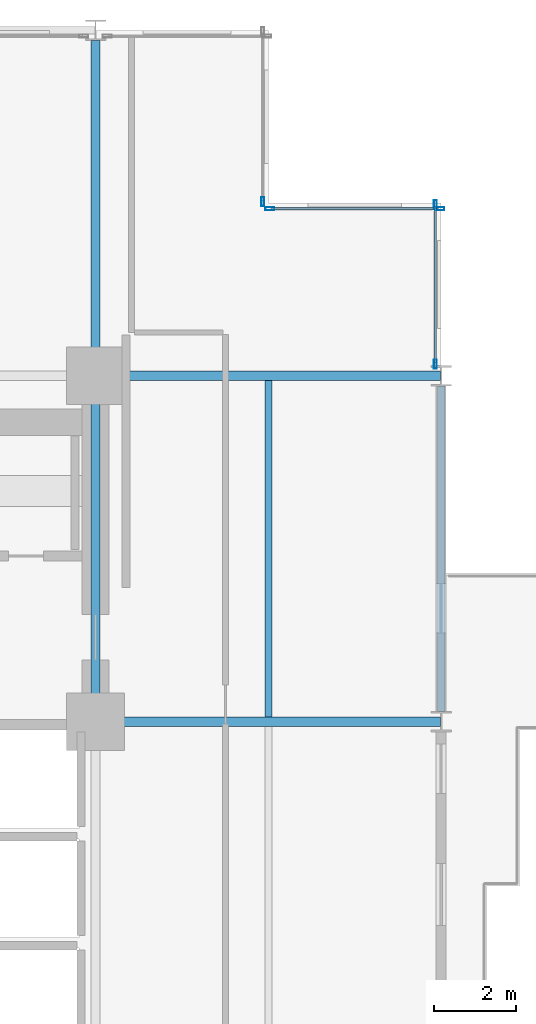
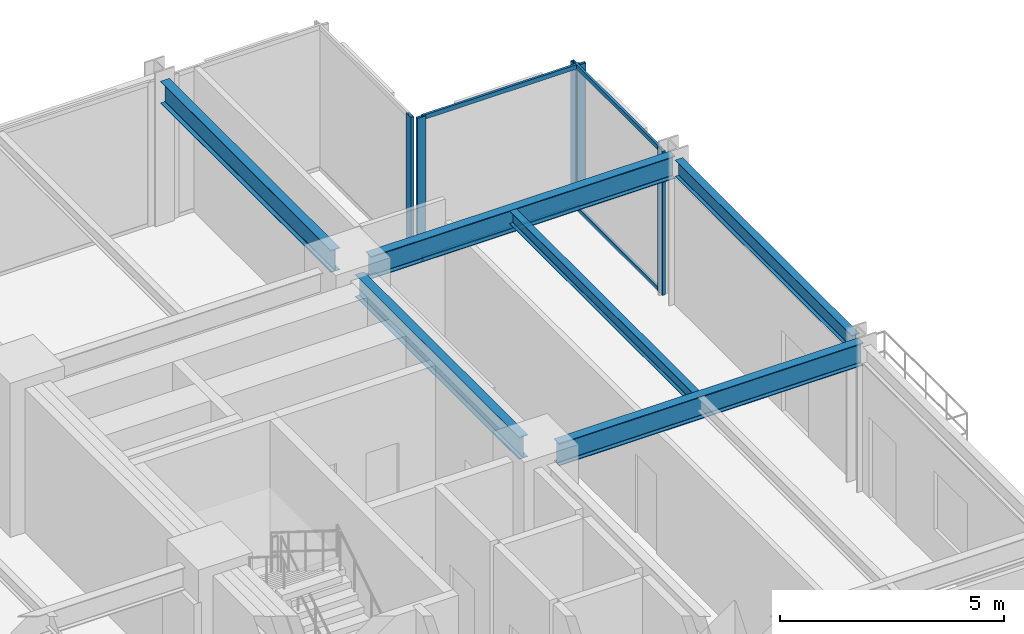
# One storey, part 16 of 24: 9 members, 6 beams, 3 elements without a shape of their own.
"""IFC4 building model written with IfcOpenShell, lengths in metres."""

from ifc_helpers import new_model, si_unit, direction, frame, origin, origin_2d, place, context, subcontext, project, spatial, hollow_rectangle, i_section, extrude, material, layer, layer_set, material_profile, profile_set, type_object, element, aggregate, save


model = new_model("IFC4")

# Units and contexts
model_context = context("Model", 3, precision=1e-05, world=origin(), true_north=direction((0.0, 1.0)))
body_context = subcontext(model_context, "Body", "Model", "MODEL_VIEW")
ifc_project = project(units=[si_unit("LENGTHUNIT", "METRE"), si_unit("AREAUNIT", "SQUARE_METRE"), si_unit("VOLUMEUNIT", "CUBIC_METRE"), si_unit("PLANEANGLEUNIT", "RADIAN"), si_unit("MASSUNIT", "GRAM", prefix="KILO")], contexts=[model_context])

# Site, building, storey
site_placement = place(None, origin())
site = spatial("IfcSite", under=ifc_project, at=site_placement, CompositionType="ELEMENT")
building_placement = place(site_placement, origin())
building = spatial("IfcBuilding", under=site, at=building_placement, Name="Nerrivon Quay Data Exchange", CompositionType="ELEMENT")
storey_placement = place(building_placement, frame((0.0, 0.0, 45.800048828125)))
storey = spatial("IfcBuildingStorey", under=building, at=storey_placement, Name="L10", CompositionType="ELEMENT", Elevation=45.800048828125)

# Beams
ifc_material_1 = material(Name="Steel Grade 350", Category="steel")
ifc_material_profile_1 = material_profile(ifc_material_1, i_section(OverallWidth=0.22900390625, OverallDepth=0.612060546875, WebThickness=0.011962890625, FlangeThickness=0.01953125, FilletRadius=0.013916015625, at=origin_2d()), Name="610UB125")
ifc_profile_set_1 = profile_set([ifc_material_profile_1], Name="Steel Grade 350")
beam_type_1 = type_object("IfcBeamType", Name="BM-G1-610UB125", PredefinedType="BEAM", material=ifc_profile_set_1)
for number, where, z_axis, x_axis, name in (
    (1, (17.340087890625, 33.60009765625, 3.618896484375), (1.0, 0.0, 0.0), (0.0, 1.0, 0.0), "L10 EW Girder Y=33.6 (16.8..25.2)"),
    (2, (17.340087890625, 42.0, 3.618896484375), (1.0, 0.0, 0.0), (0.0, 1.0, 0.0), "L10 EW Girder Y=42.0 (16.8..25.2)"),
):
    element("IfcBeam", number, at=place(storey_placement, frame(where, z_axis=z_axis, x_axis=x_axis)), inside=storey, type_object=beam_type_1, Name=name, PredefinedType="BEAM", context=body_context, shape_type="SweptSolid", body=[
        extrude(i_section(OverallWidth=0.22900390625, OverallDepth=0.612060546875, WebThickness=0.011962890625, FlangeThickness=0.01953125, FilletRadius=0.013916015625, at=origin_2d()), origin(), (0.0, 0.0, 1.0), 7.845947265625),
    ])
ifc_material_profile_2 = material_profile(ifc_material_1, i_section(OverallWidth=0.22802734375, OverallDepth=0.60205078125, WebThickness=0.010498046875, FlangeThickness=0.014892578125, FilletRadius=0.013916015625, at=origin_2d()), Name="610UB101")
ifc_profile_set_2 = profile_set([ifc_material_profile_2], Name="Steel Grade 350")
beam_type_2 = type_object("IfcBeamType", Name="BM-G2-610UB101", PredefinedType="BEAM", material=ifc_profile_set_2)
beam_1_placement = place(storey_placement, frame((16.800048828125, 34.139892578125, 3.6240234375), z_axis=(0.0, 1.0, 0.0), x_axis=(-1.0, 0.0, 0.0)))
element("IfcBeam", 3, at=beam_1_placement, inside=storey, type_object=beam_type_2, Name="L10 NS Girder X=16.8 (33.6..42.0)", PredefinedType="BEAM", context=body_context, shape_type="SweptSolid", body=[
    extrude(i_section(OverallWidth=0.22802734375, OverallDepth=0.60205078125, WebThickness=0.010498046875, FlangeThickness=0.014892578125, FilletRadius=0.013916015625, at=origin_2d()), origin(), (0.0, 0.0, 1.0), 7.320068359375),
])
beam_2_placement = place(storey_placement, frame((16.800048828125, 42.5400390625, 3.6240234375), z_axis=(0.0, 1.0, 0.0), x_axis=(-1.0, 0.0, 0.0)))
element("IfcBeam", 4, at=beam_2_placement, inside=storey, type_object=beam_type_2, Name="L10 NS Girder X=16.8 (42.0..50.4)", PredefinedType="BEAM", context=body_context, shape_type="SweptSolid", body=[
    extrude(i_section(OverallWidth=0.22802734375, OverallDepth=0.60205078125, WebThickness=0.010498046875, FlangeThickness=0.014892578125, FilletRadius=0.013916015625, at=origin_2d()), origin(), (0.0, 0.0, 1.0), 7.60986328125),
])
ifc_material_profile_3 = material_profile(ifc_material_1, i_section(OverallWidth=0.172119140625, OverallDepth=0.35888671875, WebThickness=0.008056640625, FlangeThickness=0.012939453125, FilletRadius=0.011474609375, at=origin_2d()), Name="360UB56.7")
ifc_profile_set_3 = profile_set([ifc_material_profile_3], Name="Steel Grade 350")
beam_type_3 = type_object("IfcBeamType", Name="BM-J3-360UB57", PredefinedType="JOIST", material=ifc_profile_set_3)
beam_3_placement = place(storey_placement, frame((21.0, 33.714599609375, 3.745361328125), z_axis=(0.0, 1.0, 0.0), x_axis=(-1.0, 0.0, 0.0)))
element("IfcBeam", 5, at=beam_3_placement, inside=storey, type_object=beam_type_3, Name="L10 Secondary Joist X=21.0 (33.6..42.0)", PredefinedType="JOIST", context=body_context, shape_type="SweptSolid", body=[
    extrude(i_section(OverallWidth=0.172119140625, OverallDepth=0.35888671875, WebThickness=0.008056640625, FlangeThickness=0.012939453125, FilletRadius=0.011474609375, at=origin_2d()), origin(), (0.0, 0.0, 1.0), 8.1708984375),
])
ifc_material_profile_4 = material_profile(ifc_material_1, i_section(OverallWidth=0.18994140625, OverallDepth=0.4541015625, WebThickness=0.008544921875, FlangeThickness=0.0126953125, FilletRadius=0.011474609375, at=origin_2d()), Name="460UB67.1")
ifc_profile_set_4 = profile_set([ifc_material_profile_4], Name="Steel Grade 350")
beam_type_4 = type_object("IfcBeamType", Name="BM-SP1-460UB67", PredefinedType="SPANDREL", material=ifc_profile_set_4)
beam_4_placement = place(storey_placement, frame((25.199951171875, 33.85009765625, 3.697998046875), z_axis=(0.0, 1.0, 0.0), x_axis=(-1.0, 0.0, 0.0)))
element("IfcBeam", 6, at=beam_4_placement, inside=storey, type_object=beam_type_4, Name="L10 NS Girder X=25.2 (33.6..42.0)", PredefinedType="SPANDREL", context=body_context, shape_type="SweptSolid", body=[
    extrude(i_section(OverallWidth=0.18994140625, OverallDepth=0.4541015625, WebThickness=0.008544921875, FlangeThickness=0.0126953125, FilletRadius=0.011474609375, at=origin_2d()), origin(), (0.0, 0.0, 1.0), 7.89990234375),
])

# Curtain wall, member
ifc_material_2 = material(Name="Anodised aluminium 6063-T6", Category="aluminium")
ifc_layer = layer(ifc_material_2, 0.219970703125)
ifc_layer_set = layer_set([ifc_layer], Name="Anodised aluminium 6063-T6")
curtain_wall_type = type_object("IfcCurtainWallType", Name="CW-SYS-01", PredefinedType="NOTDEFINED", material=ifc_layer_set)
curtain_wall_1_placement = place(storey_placement, origin())
curtain_wall_1 = element("IfcCurtainWall", 7, at=curtain_wall_1_placement, inside=storey, type_object=curtain_wall_type, Name="L10 Unitised Curtain Wall 23", PredefinedType="NOTDEFINED")
ifc_material_profile_5 = material_profile(ifc_material_2, hollow_rectangle(XDim=0.074951171875, YDim=0.219970703125, WallThickness=0.00390625, at=origin_2d()), Name="ALU-MULL-220x75")
ifc_profile_set_5 = profile_set([ifc_material_profile_5], Name="Anodised aluminium 6063-T6")
member_type_1 = type_object("IfcMemberType", Name="CWM-220x75", PredefinedType="MULLION", material=ifc_profile_set_5)
member_1_placement = place(storey_placement, frame((20.860107421875, 46.237548828125, 0.0), z_axis=(0.0, 0.0, 1.0), x_axis=(1.0, 0.0, 0.0)))
member_1 = element("IfcMember", 8, at=member_1_placement, type_object=member_type_1, Name="CW01 mullion 2", PredefinedType="MULLION", context=body_context, shape_type="SweptSolid", body=[
    extrude(hollow_rectangle(XDim=0.074951171875, YDim=0.219970703125, WallThickness=0.00390625, at=origin_2d()), origin(), (0.0, 0.0, 1.0), 3.925048828125),
])
aggregate(curtain_wall_1, [member_1])

# Curtain wall, members
curtain_wall_2_placement = place(storey_placement, origin())
curtain_wall_2 = element("IfcCurtainWall", 9, at=curtain_wall_2_placement, inside=storey, type_object=curtain_wall_type, Name="L10 Unitised Curtain Wall 24", PredefinedType="NOTDEFINED")
member_2_placement = place(storey_placement, frame((21.03759765625, 46.06005859375, 0.0), z_axis=(0.0, 0.0, 1.0), x_axis=(0.0, 1.0, 0.0)))
member_2 = element("IfcMember", 10, at=member_2_placement, type_object=member_type_1, Name="CW01 mullion 1", PredefinedType="MULLION", context=body_context, shape_type="SweptSolid", body=[
    extrude(hollow_rectangle(XDim=0.074951171875, YDim=0.219970703125, WallThickness=0.00390625, at=origin_2d()), origin(), (0.0, 0.0, 1.0), 3.925048828125),
])
member_3_placement = place(storey_placement, frame((25.16259765625, 46.06005859375, 0.0), z_axis=(0.0, 0.0, 1.0), x_axis=(0.0, 1.0, 0.0)))
member_3 = element("IfcMember", 11, at=member_3_placement, type_object=member_type_1, Name="CW01 mullion 2", PredefinedType="MULLION", context=body_context, shape_type="SweptSolid", body=[
    extrude(hollow_rectangle(XDim=0.074951171875, YDim=0.219970703125, WallThickness=0.00390625, at=origin_2d()), origin(), (0.0, 0.0, 1.0), 3.925048828125),
])

curtain_wall_3_placement = place(storey_placement, origin())
curtain_wall_3 = element("IfcCurtainWall", 12, at=curtain_wall_3_placement, inside=storey, type_object=curtain_wall_type, Name="L10 Unitised Curtain Wall 25", PredefinedType="NOTDEFINED")
member_4_placement = place(storey_placement, frame((25.06005859375, 46.16259765625, 0.0), z_axis=(0.0, 0.0, 1.0), x_axis=(1.0, 0.0, 0.0)))
member_4 = element("IfcMember", 13, at=member_4_placement, type_object=member_type_1, Name="CW01 mullion 1", PredefinedType="MULLION", context=body_context, shape_type="SweptSolid", body=[
    extrude(hollow_rectangle(XDim=0.074951171875, YDim=0.219970703125, WallThickness=0.00390625, at=origin_2d()), origin(), (0.0, 0.0, 1.0), 3.925048828125),
])
member_5_placement = place(storey_placement, frame((25.06005859375, 42.28759765625, 0.0), z_axis=(0.0, 0.0, 1.0), x_axis=(1.0, 0.0, 0.0)))
member_5 = element("IfcMember", 14, at=member_5_placement, type_object=member_type_1, Name="CW01 mullion 2", PredefinedType="MULLION", context=body_context, shape_type="SweptSolid", body=[
    extrude(hollow_rectangle(XDim=0.074951171875, YDim=0.219970703125, WallThickness=0.00390625, at=origin_2d()), origin(), (0.0, 0.0, 1.0), 3.925048828125),
])

# Member
ifc_material_profile_6 = material_profile(ifc_material_2, hollow_rectangle(XDim=0.06005859375, YDim=0.1201171875, WallThickness=0.003173828125, at=origin_2d()), Name="ALU-TRAN-120x60")
ifc_profile_set_6 = profile_set([ifc_material_profile_6], Name="Anodised aluminium 6063-T6")
member_type_2 = type_object("IfcMemberType", Name="CWT-120x60", PredefinedType="USERDEFINED", material=ifc_profile_set_6)
member_6_placement = place(storey_placement, frame((21.074951171875, 46.06005859375, 0.032470703125), z_axis=(1.0, 0.0, 0.0), x_axis=(0.0, 1.0, 0.0)))
member_6 = element("IfcMember", 15, at=member_6_placement, type_object=member_type_2, Name="CW01 transom 1.1", ObjectType="TRANSOM", PredefinedType="USERDEFINED", context=body_context, shape_type="SweptSolid", body=[
    extrude(hollow_rectangle(XDim=0.06005859375, YDim=0.1201171875, WallThickness=0.003173828125, at=origin_2d()), origin(), (0.0, 0.0, 1.0), 4.050048828125),
])

member_7_placement = place(storey_placement, frame((21.074951171875, 46.06005859375, 3.892333984375), z_axis=(1.0, 0.0, 0.0), x_axis=(0.0, 1.0, 0.0)))
member_7 = element("IfcMember", 16, at=member_7_placement, type_object=member_type_2, Name="CW01 transom 1.2", ObjectType="TRANSOM", PredefinedType="USERDEFINED", context=body_context, shape_type="SweptSolid", body=[
    extrude(hollow_rectangle(XDim=0.06005859375, YDim=0.1201171875, WallThickness=0.003173828125, at=origin_2d()), origin(), (0.0, 0.0, 1.0), 4.050048828125),
])

aggregate(curtain_wall_2, [member_2, member_3, member_6, member_7])

member_8_placement = place(storey_placement, frame((25.06005859375, 46.125, 0.032470703125), z_axis=(0.0, -1.0, 0.0), x_axis=(1.0, 0.0, 0.0)))
member_8 = element("IfcMember", 17, at=member_8_placement, type_object=member_type_2, Name="CW01 transom 1.1", ObjectType="TRANSOM", PredefinedType="USERDEFINED", context=body_context, shape_type="SweptSolid", body=[
    extrude(hollow_rectangle(XDim=0.06005859375, YDim=0.1201171875, WallThickness=0.003173828125, at=origin_2d()), origin(), (0.0, 0.0, 1.0), 3.800048828125),
])

member_9_placement = place(storey_placement, frame((25.06005859375, 46.125, 3.892333984375), z_axis=(0.0, -1.0, 0.0), x_axis=(1.0, 0.0, 0.0)))
member_9 = element("IfcMember", 18, at=member_9_placement, type_object=member_type_2, Name="CW01 transom 1.2", ObjectType="TRANSOM", PredefinedType="USERDEFINED", context=body_context, shape_type="SweptSolid", body=[
    extrude(hollow_rectangle(XDim=0.06005859375, YDim=0.1201171875, WallThickness=0.003173828125, at=origin_2d()), origin(), (0.0, 0.0, 1.0), 3.800048828125),
])

aggregate(curtain_wall_3, [member_4, member_5, member_8, member_9])

save(model, "model.ifc")
